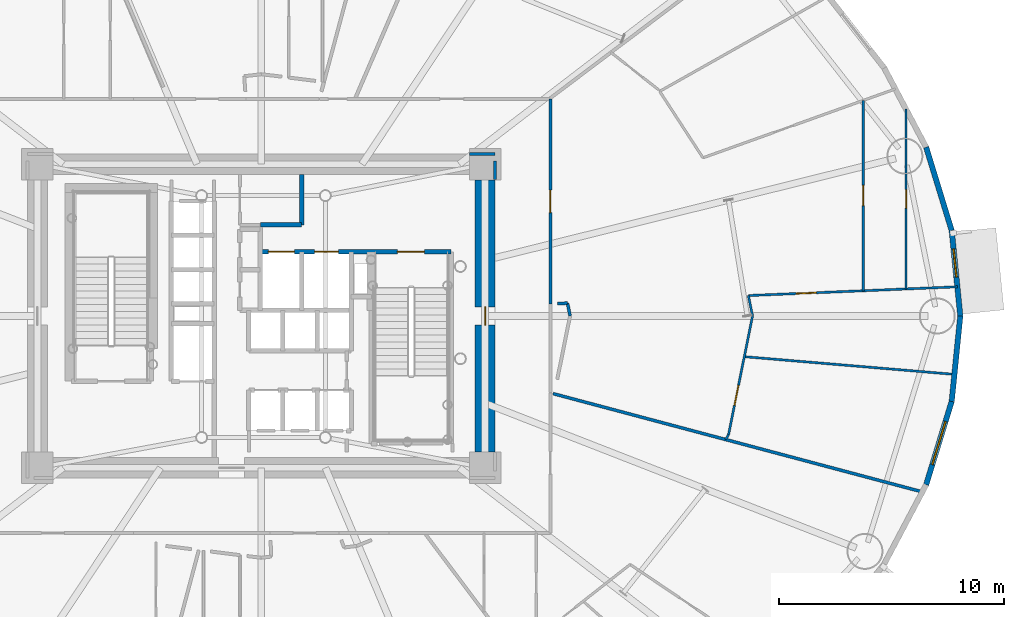
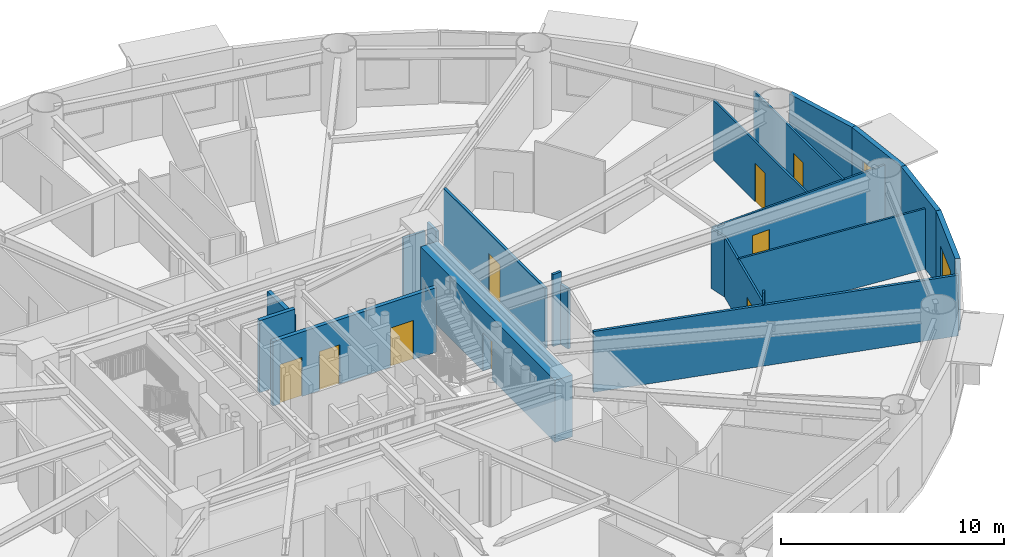
# One storey, part 14 of 24: 21 walls, 9 doors, 2 windows, 11 openings.
"""IFC4 building model written with IfcOpenShell, lengths in metres."""

from ifc_helpers import new_model, si_unit, direction, frame, frame_2d, origin, origin_2d, place, context, subcontext, project, spatial, rectangle, extrude, source, transform, mapped, material, layer, layer_set, type_object, element, fill, save


model = new_model("IFC4")

# Units and contexts
model_context = context("Model", 3, precision=1e-05, world=origin(), true_north=direction((0.0, 1.0)))
body_context = subcontext(model_context, "Body", "Model", "MODEL_VIEW")
ifc_project = project(units=[si_unit("LENGTHUNIT", "METRE"), si_unit("AREAUNIT", "SQUARE_METRE"), si_unit("VOLUMEUNIT", "CUBIC_METRE"), si_unit("PLANEANGLEUNIT", "RADIAN"), si_unit("MASSUNIT", "GRAM", prefix="KILO")], contexts=[model_context])

# Site, building, storey
site_placement = place(None, origin())
site = spatial("IfcSite", under=ifc_project, at=site_placement, CompositionType="ELEMENT")
building_placement = place(site_placement, origin())
building = spatial("IfcBuilding", under=site, at=building_placement, Name="Linh Dai School and Residence Tower", CompositionType="ELEMENT")
storey_placement = place(building_placement, frame((0.0, 0.0, 74.39990234375)))
storey = spatial("IfcBuildingStorey", under=building, at=storey_placement, Name="L17", CompositionType="ELEMENT", Elevation=74.39990234375)

# Wall, opening, window
ifc_material_1 = material(Name="Precast Concrete B45 (C35/45)", Category="concrete")
ifc_layer_1 = layer(ifc_material_1, 0.239990234375)
ifc_layer_set_1 = layer_set([ifc_layer_1], Name="Precast Concrete B45 (C35/45)")
wall_type_1 = type_object("IfcWallType", Name="EW-TC-240", PredefinedType="SOLIDWALL", material=ifc_layer_set_1)
wall_1_placement = place(storey_placement, frame((66.693359375, 30.796875, 0.0), z_axis=(0.0, 0.0, 1.0), x_axis=(0.099997795174, -0.994987658698, 0.0)))
wall_1 = element("IfcWall", 1, at=wall_1_placement, inside=storey, type_object=wall_type_1, Name="L17 Terracotta Exterior Wall 01", PredefinedType="SOLIDWALL", context=body_context, shape_type="SweptSolid", body=[
    extrude(rectangle(XDim=3.81591796875, YDim=0.239990234375, at=frame_2d((1.907958984375, 0.0))), origin(), (0.0, 0.0, 1.0), 3.9501953125),
])
opening_1_placement = place(wall_1_placement, frame((0.82421875, 0.0, 0.89990234375)))
opening_1 = element("IfcOpeningElement", 2, at=opening_1_placement, cuts=wall_1, Name="Opening W3", PredefinedType="OPENING", context=body_context, shape_type="SweptSolid", body=[
    extrude(rectangle(XDim=1.25, YDim=1.64990234375, at=origin_2d()), frame((0.625, 0.1298828125, 0.824951171875), z_axis=(0.0, -1.0, 0.0), x_axis=(1.0, 0.0, 0.0)), (0.0, 0.0, 1.0), 0.260009765625),
])
ifc_material_2 = material(Name="Double Low-E Insulated Glazing", Category="glass")
window_type_1 = type_object("IfcWindowType", Name="WN-RES-1250x1650", PartitioningType="SINGLE_PANEL", PredefinedType="WINDOW", material=ifc_material_2)
shared_shape_1 = source(origin(), body_context, "Body", "SweptSolid", [
    extrude(rectangle(XDim=1.25, YDim=1.64990234375, at=origin_2d()), frame((0.625, 0.030029296875, 0.824951171875), z_axis=(0.0, -1.0, 0.0), x_axis=(1.0, 0.0, 0.0)), (0.0, 0.0, 1.0), 0.06005859375),
])
window_1_placement = place(opening_1_placement, origin())
window_1 = element("IfcWindow", 3, at=window_1_placement, inside=storey, type_object=window_type_1, Name="L17 Exterior Window 01.1", OverallHeight=1.64990234375, OverallWidth=1.25, PartitioningType="SINGLE_PANEL", PredefinedType="WINDOW", context=body_context, shape_type="MappedRepresentation", body=[
    mapped(shared_shape_1, transform((0.0, 0.0, 0.0), x_axis=(1.0, 0.0, 0.0), y_axis=(0.0, 1.0, 0.0), z_axis=(0.0, 0.0, 1.0), scale=1.0)),
])
fill(opening_1, window_1)

# Wall
wall_2_placement = place(storey_placement, frame((65.5576171875, 34.50146484375, 0.0), z_axis=(0.0, 0.0, 1.0), x_axis=(0.293111631758, -0.956078224482, 0.0)))
element("IfcWall", 4, at=wall_2_placement, inside=storey, type_object=wall_type_1, Name="L17 Terracotta Exterior Wall 02", PredefinedType="SOLIDWALL", context=body_context, shape_type="SweptSolid", body=[
    extrude(rectangle(XDim=3.874755859375, YDim=0.239990234375, at=frame_2d((1.9375, 0.0))), origin(), (0.0, 0.0, 1.0), 3.9501953125),
])

# Wall, opening, window
wall_3_placement = place(storey_placement, frame((66.693359375, 23.203125, 0.0), z_axis=(0.0, 0.0, 1.0), x_axis=(-0.293111631758, -0.956078224482, 0.0)))
wall_3 = element("IfcWall", 5, at=wall_3_placement, inside=storey, type_object=wall_type_1, Name="L17 Terracotta Exterior Wall 39", PredefinedType="SOLIDWALL", context=body_context, shape_type="SweptSolid", body=[
    extrude(rectangle(XDim=3.874755859375, YDim=0.239990234375, at=frame_2d((1.9375, 0.0))), origin(), (0.0, 0.0, 1.0), 3.9501953125),
])
opening_2_placement = place(wall_3_placement, frame((0.9375, 0.0, 0.89990234375)))
opening_2 = element("IfcOpeningElement", 6, at=opening_2_placement, cuts=wall_3, Name="Opening W1", PredefinedType="OPENING", context=body_context, shape_type="SweptSolid", body=[
    extrude(rectangle(XDim=2.0, YDim=1.75, at=origin_2d()), frame((1.0, 0.1298828125, 0.875), z_axis=(0.0, -1.0, 0.0), x_axis=(1.0, 0.0, 0.0)), (0.0, 0.0, 1.0), 0.260009765625),
])
window_type_2 = type_object("IfcWindowType", Name="WN-RES-2000x1750", PartitioningType="DOUBLE_PANEL_VERTICAL", PredefinedType="WINDOW", material=ifc_material_2)
shared_shape_2 = source(origin(), body_context, "Body", "SweptSolid", [
    extrude(rectangle(XDim=2.0, YDim=1.75, at=origin_2d()), frame((1.0, 0.030029296875, 0.875), z_axis=(0.0, -1.0, 0.0), x_axis=(1.0, 0.0, 0.0)), (0.0, 0.0, 1.0), 0.06005859375),
])
window_2_placement = place(opening_2_placement, origin())
window_2 = element("IfcWindow", 7, at=window_2_placement, inside=storey, type_object=window_type_2, Name="L17 Exterior Window 39.1", OverallHeight=1.75, OverallWidth=2.0, PartitioningType="DOUBLE_PANEL_VERTICAL", PredefinedType="WINDOW", context=body_context, shape_type="MappedRepresentation", body=[
    mapped(shared_shape_2, transform((0.0, 0.0, 0.0), x_axis=(1.0, 0.0, 0.0), y_axis=(0.0, 1.0, 0.0), z_axis=(0.0, 0.0, 1.0), scale=1.0)),
])
fill(opening_2, window_2)

# Wall
wall_4_placement = place(storey_placement, frame((67.074951171875, 27.0, 0.0), z_axis=(0.0, 0.0, 1.0), x_axis=(-0.099997795174, -0.994987658698, 0.0)))
element("IfcWall", 8, at=wall_4_placement, inside=storey, type_object=wall_type_1, Name="L17 Terracotta Exterior Wall 40", PredefinedType="SOLIDWALL", context=body_context, shape_type="SweptSolid", body=[
    extrude(rectangle(XDim=3.81591796875, YDim=0.239990234375, at=frame_2d((1.907958984375, 0.0))), origin(), (0.0, 0.0, 1.0), 3.9501953125),
])

# Wall, opening, door
ifc_material_3 = material(Name="Autoclaved Aerated Concrete Blockwork", Category="masonry")
ifc_layer_2 = layer(ifc_material_3, 0.135009765625)
ifc_layer_set_2 = layer_set([ifc_layer_2], Name="Autoclaved Aerated Concrete Blockwork")
wall_type_2 = type_object("IfcWallType", Name="IW-CORR-135-EI90", PredefinedType="PARTITIONING", material=ifc_layer_set_2)
wall_5_placement = place(storey_placement, frame((48.85009765625, 27.538330078125, 0.0), z_axis=(0.0, 0.0, 1.0), x_axis=(0.0, 1.0, 0.0)))
wall_5 = element("IfcWall", 9, at=wall_5_placement, inside=storey, type_object=wall_type_2, Name="L17 Interior Partition Wall 095", PredefinedType="PARTITIONING", context=body_context, shape_type="SweptSolid", body=[
    extrude(rectangle(XDim=9.111572265625, YDim=0.135009765625, at=frame_2d((4.5556640625, 0.0))), origin(), (0.0, 0.0, 1.0), 3.28515625),
])
opening_3_placement = place(wall_5_placement, frame((4.055908203125, 0.0, 0.0)))
opening_3 = element("IfcOpeningElement", 10, at=opening_3_placement, cuts=wall_5, Name="Opening D03", PredefinedType="OPENING", context=body_context, shape_type="SweptSolid", body=[
    extrude(rectangle(XDim=1.0, YDim=2.14990234375, at=origin_2d()), frame((0.5, 0.07763671875, 1.074951171875), z_axis=(0.0, -1.0, 0.0), x_axis=(1.0, 0.0, 0.0)), (0.0, 0.0, 1.0), 0.155029296875),
])
ifc_material_4 = material(Name="Fire-Rated Solid Timber Entrance Door", Category="wood")
door_type_1 = type_object("IfcDoorType", Name="DR-FLAT-1000x2150-FD60S", OperationType="NOTDEFINED", PredefinedType="DOOR", material=ifc_material_4)
shared_shape_3 = source(origin(), body_context, "Body", "SweptSolid", [
    extrude(rectangle(XDim=1.0, YDim=2.14990234375, at=origin_2d()), frame((0.5, 0.02490234375, 1.074951171875), z_axis=(0.0, -1.0, 0.0), x_axis=(1.0, 0.0, 0.0)), (0.0, 0.0, 1.0), 0.050048828125),
])
door_1_placement = place(opening_3_placement, origin())
door_1 = element("IfcDoor", 11, at=door_1_placement, inside=storey, type_object=door_type_1, Name="L17 U1707 Apartment Entrance Door", OperationType="SINGLE_SWING_RIGHT", OverallHeight=2.14990234375, OverallWidth=1.0, PredefinedType="DOOR", context=body_context, shape_type="MappedRepresentation", body=[
    mapped(shared_shape_3, transform((0.0, 0.0, 0.0), x_axis=(1.0, 0.0, 0.0), y_axis=(0.0, 1.0, 0.0), z_axis=(0.0, 0.0, 1.0), scale=1.0)),
])
fill(opening_3, door_1)

# Walls
wall_6_placement = place(storey_placement, frame((48.971435546875, 23.54833984375, 0.0), z_axis=(0.0, 0.0, 1.0), x_axis=(0.966368341592, -0.257161871917, 0.0)))
element("IfcWall", 12, at=wall_6_placement, inside=storey, type_object=wall_type_2, Name="L17 Interior Partition Wall 097", PredefinedType="PARTITIONING", context=body_context, shape_type="SweptSolid", body=[
    extrude(rectangle(XDim=16.99365234375, YDim=0.135009765625, at=frame_2d((8.496826171875, 0.0))), origin(), (0.0, 0.0, 1.0), 3.335205078125),
])
wall_7_placement = place(storey_placement, frame((46.39990234375, 34.199951171875, 0.0), z_axis=(0.0, 0.0, 1.0), x_axis=(-1.0, 0.0, 0.0)))
element("IfcWall", 13, at=wall_7_placement, inside=storey, type_object=wall_type_2, Name="L17 Interior Partition Wall 127", PredefinedType="PARTITIONING", context=body_context, shape_type="SweptSolid", body=[
    extrude(rectangle(XDim=1.139892578125, YDim=0.135009765625, at=frame_2d((0.56982421875, 0.0))), origin(), (0.0, 0.0, 1.0), 3.28515625),
])
wall_8_placement = place(storey_placement, frame((46.39990234375, 33.06005859375, 0.0), z_axis=(0.0, 0.0, 1.0), x_axis=(0.0, 1.0, 0.0)))
element("IfcWall", 14, at=wall_8_placement, inside=storey, type_object=wall_type_2, Name="L17 Interior Partition Wall 134", PredefinedType="PARTITIONING", context=body_context, shape_type="SweptSolid", body=[
    extrude(rectangle(XDim=0.83251953125, YDim=0.135009765625, at=frame_2d((0.416259765625, 0.0))), origin(), (0.0, 0.0, 1.0), 3.9501953125),
])
wall_9_placement = place(storey_placement, frame((49.72802734375, 27.0, 0.0), z_axis=(0.0, 0.0, 1.0), x_axis=(-0.198455472993, 0.980109904674, 0.0)))
element("IfcWall", 15, at=wall_9_placement, inside=storey, type_object=wall_type_2, Name="L17 Interior Partition Wall 153", PredefinedType="PARTITIONING", context=body_context, shape_type="SweptSolid", body=[
    extrude(rectangle(XDim=0.581787109375, YDim=0.135009765625, at=frame_2d((0.291015625, 0.0))), origin(), (0.0, 0.0, 1.0), 3.28515625),
])
wall_10_placement = place(storey_placement, frame((49.612548828125, 27.5703125, 0.0), z_axis=(0.0, 0.0, 1.0), x_axis=(-0.999115494312, -0.042050315417, 0.0)))
element("IfcWall", 16, at=wall_10_placement, inside=storey, type_object=wall_type_2, Name="L17 Interior Partition Wall 154", PredefinedType="PARTITIONING", context=body_context, shape_type="SweptSolid", body=[
    extrude(rectangle(XDim=0.435546875, YDim=0.135009765625, at=frame_2d((0.2177734375, 0.0))), origin(), (0.0, 0.0, 1.0), 3.9501953125),
])

# Wall, openings, doors
ifc_material_5 = material(Name="Concrete B45 (C35/45)", Category="concrete")
ifc_layer_3 = layer(ifc_material_5, 0.199951171875)
ifc_layer_set_3 = layer_set([ifc_layer_3], Name="Concrete B45 (C35/45)")
wall_type_3 = type_object("IfcWallType", Name="IW-SHAFT-200-EI120", PredefinedType="PARTITIONING", material=ifc_layer_set_3)
wall_11_placement = place(storey_placement, frame((35.949951171875, 29.85009765625, 0.0), z_axis=(0.0, 0.0, 1.0), x_axis=(1.0, 0.0, 0.0)))
wall_11 = element("IfcWall", 17, at=wall_11_placement, inside=storey, type_object=wall_type_3, Name="L17 Interior Partition Wall 059", PredefinedType="PARTITIONING", context=body_context, shape_type="SweptSolid", body=[
    extrude(rectangle(XDim=8.489990234375, YDim=0.199951171875, at=frame_2d((4.2451171875, 0.0))), origin(), (0.0, 0.0, 1.0), 3.53515625),
])
opening_4_placement = place(wall_11_placement, frame((6.10009765625, 0.0, 0.0)))
opening_4 = element("IfcOpeningElement", 18, at=opening_4_placement, cuts=wall_11, Name="Opening D01", PredefinedType="OPENING", context=body_context, shape_type="SweptSolid", body=[
    extrude(rectangle(XDim=1.199951171875, YDim=2.14990234375, at=origin_2d()), frame((0.60009765625, 0.10986328125, 1.074951171875), z_axis=(0.0, -1.0, 0.0), x_axis=(1.0, 0.0, 0.0)), (0.0, 0.0, 1.0), 0.219970703125),
])
opening_5_placement = place(wall_11_placement, frame((0.3701171875, 0.0, 0.0)))
opening_5 = element("IfcOpeningElement", 19, at=opening_5_placement, cuts=wall_11, Name="Opening LD-FF1", PredefinedType="OPENING", context=body_context, shape_type="SweptSolid", body=[
    extrude(rectangle(XDim=1.14990234375, YDim=2.14990234375, at=origin_2d()), frame((0.574951171875, 0.10986328125, 1.074951171875), z_axis=(0.0, -1.0, 0.0), x_axis=(1.0, 0.0, 0.0)), (0.0, 0.0, 1.0), 0.219970703125),
])
opening_6_placement = place(wall_11_placement, frame((2.425048828125, 0.0, 0.0)))
opening_6 = element("IfcOpeningElement", 20, at=opening_6_placement, cuts=wall_11, Name="Opening LD-SV1", PredefinedType="OPENING", context=body_context, shape_type="SweptSolid", body=[
    extrude(rectangle(XDim=1.050048828125, YDim=2.14990234375, at=origin_2d()), frame((0.52490234375, 0.10986328125, 1.074951171875), z_axis=(0.0, -1.0, 0.0), x_axis=(1.0, 0.0, 0.0)), (0.0, 0.0, 1.0), 0.219970703125),
])
ifc_material_6 = material(Name="Fire-Rated Steel Door Leaf", Category="steel")
door_type_2 = type_object("IfcDoorType", Name="DR-STAIR-1200x2150-FD90S", OperationType="NOTDEFINED", PredefinedType="DOOR", material=ifc_material_6)
shared_shape_4 = source(origin(), body_context, "Body", "SweptSolid", [
    extrude(rectangle(XDim=1.199951171875, YDim=2.14990234375, at=origin_2d()), frame((0.60009765625, 0.02490234375, 1.074951171875), z_axis=(0.0, -1.0, 0.0), x_axis=(1.0, 0.0, 0.0)), (0.0, 0.0, 1.0), 0.050048828125),
])
door_2_placement = place(opening_4_placement, origin())
door_2 = element("IfcDoor", 21, at=door_2_placement, inside=storey, type_object=door_type_2, Name="L17 Core Smokeproof Exit Stair ST2 Door", OperationType="SINGLE_SWING_RIGHT", OverallHeight=2.14990234375, OverallWidth=1.199951171875, PredefinedType="DOOR", context=body_context, shape_type="MappedRepresentation", body=[
    mapped(shared_shape_4, transform((0.0, 0.0, 0.0), x_axis=(1.0, 0.0, 0.0), y_axis=(0.0, 1.0, 0.0), z_axis=(0.0, 0.0, 1.0), scale=1.0)),
])
fill(opening_4, door_2)
ifc_material_7 = material(Name="Fire-Rated Stainless Steel Firefighting Lift Door", Category="steel")
door_type_3 = type_object("IfcDoorType", Name="DR-LD-FF-1150x2150-FD120", OperationType="DOUBLE_DOOR_SLIDING", PredefinedType="USERDEFINED", material=ifc_material_7)
shared_shape_5 = source(origin(), body_context, "Body", "SweptSolid", [
    extrude(rectangle(XDim=1.14990234375, YDim=2.14990234375, at=origin_2d()), frame((0.574951171875, 0.02490234375, 1.074951171875), z_axis=(0.0, -1.0, 0.0), x_axis=(1.0, 0.0, 0.0)), (0.0, 0.0, 1.0), 0.050048828125),
])
door_3_placement = place(opening_5_placement, origin())
door_3 = element("IfcDoor", 22, at=door_3_placement, inside=storey, type_object=door_type_3, Name="L17 Lift FF1 Sliding Landing Door", ObjectType="LANDING DOOR", OperationType="DOUBLE_DOOR_SLIDING", OverallHeight=2.14990234375, OverallWidth=1.14990234375, PredefinedType="USERDEFINED", context=body_context, shape_type="MappedRepresentation", body=[
    mapped(shared_shape_5, transform((0.0, 0.0, 0.0), x_axis=(1.0, 0.0, 0.0), y_axis=(0.0, 1.0, 0.0), z_axis=(0.0, 0.0, 1.0), scale=1.0)),
])
fill(opening_5, door_3)
ifc_material_8 = material(Name="Brushed Stainless Steel Lift Landing Door", Category="steel")
door_type_4 = type_object("IfcDoorType", Name="DR-LD-PASS-1050x2150", OperationType="DOUBLE_DOOR_SLIDING", PredefinedType="USERDEFINED", material=ifc_material_8)
shared_shape_6 = source(origin(), body_context, "Body", "SweptSolid", [
    extrude(rectangle(XDim=1.050048828125, YDim=2.14990234375, at=origin_2d()), frame((0.52490234375, 0.02490234375, 1.074951171875), z_axis=(0.0, -1.0, 0.0), x_axis=(1.0, 0.0, 0.0)), (0.0, 0.0, 1.0), 0.050048828125),
])
door_4_placement = place(opening_6_placement, origin())
door_4 = element("IfcDoor", 23, at=door_4_placement, inside=storey, type_object=door_type_4, Name="L17 Lift SV1 Sliding Landing Door", ObjectType="LANDING DOOR", OperationType="DOUBLE_DOOR_SLIDING", OverallHeight=2.14990234375, OverallWidth=1.050048828125, PredefinedType="USERDEFINED", context=body_context, shape_type="MappedRepresentation", body=[
    mapped(shared_shape_6, transform((0.0, 0.0, 0.0), x_axis=(1.0, 0.0, 0.0), y_axis=(0.0, 1.0, 0.0), z_axis=(0.0, 0.0, 1.0), scale=1.0)),
])
fill(opening_6, door_4)

# Walls
wall_12_placement = place(storey_placement, frame((35.9599609375, 31.050048828125, 0.0), z_axis=(0.0, 0.0, 1.0), x_axis=(1.0, 0.0, 0.0)))
element("IfcWall", 24, at=wall_12_placement, inside=storey, type_object=wall_type_3, Name="L17 Interior Partition Wall 060", PredefinedType="PARTITIONING", context=body_context, shape_type="SweptSolid", body=[
    extrude(rectangle(XDim=1.840087890625, YDim=0.199951171875, at=frame_2d((0.919921875, 0.0))), origin(), (0.0, 0.0, 1.0), 3.9501953125),
])
wall_13_placement = place(storey_placement, frame((37.800048828125, 31.050048828125, 0.0), z_axis=(0.0, 0.0, 1.0), x_axis=(0.0, 1.0, 0.0)))
element("IfcWall", 25, at=wall_13_placement, inside=storey, type_object=wall_type_3, Name="L17 Interior Partition Wall 069", PredefinedType="PARTITIONING", context=body_context, shape_type="SweptSolid", body=[
    extrude(rectangle(XDim=2.25, YDim=0.199951171875, at=frame_2d((1.125, 0.0))), origin(), (0.0, 0.0, 1.0), 3.53515625),
])
ifc_material_9 = material(Name="Gypsum Plasterboard Acoustic Stud Partition", Category="masonry")
ifc_layer_4 = layer(ifc_material_9, 0.10009765625)
ifc_layer_set_4 = layer_set([ifc_layer_4], Name="Gypsum Plasterboard Acoustic Stud Partition")
wall_type_4 = type_object("IfcWallType", Name="IW-UNIT-100", PredefinedType="PARTITIONING", material=ifc_layer_set_4)
wall_14_placement = place(storey_placement, frame((56.636474609375, 21.508544921875, 0.0), z_axis=(0.0, 0.0, 1.0), x_axis=(0.544849315021, 0.838533973027, 0.0)))
element("IfcWall", 26, at=wall_14_placement, inside=storey, type_object=wall_type_4, Name="L17 Interior Partition Wall 104", PredefinedType="PARTITIONING", context=body_context, shape_type="SweptSolid", body=[
    extrude(rectangle(XDim=0.246826171875, YDim=0.10009765625, at=frame_2d((0.12353515625, 0.0))), origin(), (0.0, 0.0, 1.0), 3.9501953125),
])

# Wall, opening, door
wall_15_placement = place(storey_placement, frame((56.77099609375, 21.715576171875, 0.0), z_axis=(0.0, 0.0, 1.0), x_axis=(0.198292702032, 0.980142848936, 0.0)))
wall_15 = element("IfcWall", 27, at=wall_15_placement, inside=storey, type_object=wall_type_4, Name="L17 Interior Partition Wall 105", PredefinedType="PARTITIONING", context=body_context, shape_type="SweptSolid", body=[
    extrude(rectangle(XDim=5.3916015625, YDim=0.10009765625, at=frame_2d((2.69580078125, 0.0))), origin(), (0.0, 0.0, 1.0), 3.28515625),
])
opening_7_placement = place(wall_15_placement, frame((1.3427734375, 0.0, 0.0)))
opening_7 = element("IfcOpeningElement", 28, at=opening_7_placement, cuts=wall_15, Name="Opening D05", PredefinedType="OPENING", context=body_context, shape_type="SweptSolid", body=[
    extrude(rectangle(XDim=0.89990234375, YDim=2.10009765625, at=origin_2d()), frame((0.449951171875, 0.06005859375, 1.050048828125), z_axis=(0.0, -1.0, 0.0), x_axis=(1.0, 0.0, 0.0)), (0.0, 0.0, 1.0), 0.1201171875),
])
ifc_material_10 = material(Name="Engineered Timber Internal Door", Category="wood")
door_type_5 = type_object("IfcDoorType", Name="DR-INT-900x2100", OperationType="NOTDEFINED", PredefinedType="DOOR", material=ifc_material_10)
shared_shape_7 = source(origin(), body_context, "Body", "SweptSolid", [
    extrude(rectangle(XDim=0.89990234375, YDim=2.10009765625, at=origin_2d()), frame((0.449951171875, 0.02490234375, 1.050048828125), z_axis=(0.0, -1.0, 0.0), x_axis=(1.0, 0.0, 0.0)), (0.0, 0.0, 1.0), 0.050048828125),
])
door_5_placement = place(opening_7_placement, origin())
door_5 = element("IfcDoor", 29, at=door_5_placement, inside=storey, type_object=door_type_5, Name="L17 Apartment U1707 Principal Bedroom 1 Door", OperationType="SINGLE_SWING_LEFT", OverallHeight=2.10009765625, OverallWidth=0.89990234375, PredefinedType="DOOR", context=body_context, shape_type="MappedRepresentation", body=[
    mapped(shared_shape_7, transform((0.0, 0.0, 0.0), x_axis=(1.0, 0.0, 0.0), y_axis=(0.0, 1.0, 0.0), z_axis=(0.0, 0.0, 1.0), scale=1.0)),
])
fill(opening_7, door_5)

# Walls
wall_16_placement = place(storey_placement, frame((57.47412109375, 25.190673828125, 0.0), z_axis=(0.0, 0.0, 1.0), x_axis=(0.996471574276, -0.083930933863, 0.0)))
element("IfcWall", 30, at=wall_16_placement, inside=storey, type_object=wall_type_4, Name="L17 Interior Partition Wall 106", PredefinedType="PARTITIONING", context=body_context, shape_type="SweptSolid", body=[
    extrude(rectangle(XDim=9.378173828125, YDim=0.10009765625, at=frame_2d((4.68896484375, 0.0))), origin(), (0.0, 0.0, 1.0), 3.335205078125),
])
wall_17_placement = place(storey_placement, frame((57.656494140625, 27.9072265625, 0.0), z_axis=(0.0, 0.0, 1.0), x_axis=(0.198347441677, -0.980131772967, 0.0)))
element("IfcWall", 31, at=wall_17_placement, inside=storey, type_object=wall_type_4, Name="L17 Interior Partition Wall 107", PredefinedType="PARTITIONING", context=body_context, shape_type="SweptSolid", body=[
    extrude(rectangle(XDim=0.925537109375, YDim=0.10009765625, at=frame_2d((0.462890625, 0.0))), origin(), (0.0, 0.0, 1.0), 3.28515625),
])

# Wall, opening, door
wall_18_placement = place(storey_placement, frame((57.656494140625, 27.9072265625, 0.0), z_axis=(0.0, 0.0, 1.0), x_axis=(0.999123265136, 0.041865272767, 0.0)))
wall_18 = element("IfcWall", 32, at=wall_18_placement, inside=storey, type_object=wall_type_4, Name="L17 Interior Partition Wall 108", PredefinedType="PARTITIONING", context=body_context, shape_type="SweptSolid", body=[
    extrude(rectangle(XDim=9.30126953125, YDim=0.10009765625, at=frame_2d((4.650634765625, 0.0))), origin(), (0.0, 0.0, 1.0), 3.335205078125),
])
opening_8_placement = place(wall_18_placement, frame((2.127197265625, 0.0, 0.0)))
opening_8 = element("IfcOpeningElement", 33, at=opening_8_placement, cuts=wall_18, Name="Opening D05", PredefinedType="OPENING", context=body_context, shape_type="SweptSolid", body=[
    extrude(rectangle(XDim=0.89990234375, YDim=2.10009765625, at=origin_2d()), frame((0.449951171875, 0.06005859375, 1.050048828125), z_axis=(0.0, -1.0, 0.0), x_axis=(1.0, 0.0, 0.0)), (0.0, 0.0, 1.0), 0.1201171875),
])
door_6_placement = place(opening_8_placement, origin())
door_6 = element("IfcDoor", 34, at=door_6_placement, inside=storey, type_object=door_type_5, Name="L17 Apartment U1707 Study Door", OperationType="SINGLE_SWING_RIGHT", OverallHeight=2.10009765625, OverallWidth=0.89990234375, PredefinedType="DOOR", context=body_context, shape_type="MappedRepresentation", body=[
    mapped(shared_shape_7, transform((0.0, 0.0, 0.0), x_axis=(1.0, 0.0, 0.0), y_axis=(0.0, 1.0, 0.0), z_axis=(0.0, 0.0, 1.0), scale=1.0)),
])
fill(opening_8, door_6)

wall_19_placement = place(storey_placement, frame((62.76611328125, 28.121337890625, 0.0), z_axis=(0.0, 0.0, 1.0), x_axis=(0.0, 1.0, 0.0)))
wall_19 = element("IfcWall", 35, at=wall_19_placement, inside=storey, type_object=wall_type_4, Name="L17 Interior Partition Wall 109", PredefinedType="PARTITIONING", context=body_context, shape_type="SweptSolid", body=[
    extrude(rectangle(XDim=8.462158203125, YDim=0.10009765625, at=frame_2d((4.23095703125, 0.0))), origin(), (0.0, 0.0, 1.0), 3.28515625),
])
opening_9_placement = place(wall_19_placement, frame((3.781005859375, 0.0, 0.0)))
opening_9 = element("IfcOpeningElement", 36, at=opening_9_placement, cuts=wall_19, Name="Opening D05", PredefinedType="OPENING", context=body_context, shape_type="SweptSolid", body=[
    extrude(rectangle(XDim=0.89990234375, YDim=2.10009765625, at=origin_2d()), frame((0.449951171875, 0.06005859375, 1.050048828125), z_axis=(0.0, -1.0, 0.0), x_axis=(1.0, 0.0, 0.0)), (0.0, 0.0, 1.0), 0.1201171875),
])
door_7_placement = place(opening_9_placement, origin())
door_7 = element("IfcDoor", 37, at=door_7_placement, inside=storey, type_object=door_type_5, Name="L17 Apartment U1707 Kitchen Door", OperationType="SINGLE_SWING_LEFT", OverallHeight=2.10009765625, OverallWidth=0.89990234375, PredefinedType="DOOR", context=body_context, shape_type="MappedRepresentation", body=[
    mapped(shared_shape_7, transform((0.0, 0.0, 0.0), x_axis=(1.0, 0.0, 0.0), y_axis=(0.0, 1.0, 0.0), z_axis=(0.0, 0.0, 1.0), scale=1.0)),
])
fill(opening_9, door_7)

wall_20_placement = place(storey_placement, frame((64.663818359375, 28.200927734375, 0.0), z_axis=(0.0, 0.0, 1.0), x_axis=(0.0, 1.0, 0.0)))
wall_20 = element("IfcWall", 38, at=wall_20_placement, inside=storey, type_object=wall_type_4, Name="L17 Interior Partition Wall 110", PredefinedType="PARTITIONING", context=body_context, shape_type="SweptSolid", body=[
    extrude(rectangle(XDim=8.00048828125, YDim=0.10009765625, at=frame_2d((4.000244140625, 0.0))), origin(), (0.0, 0.0, 1.0), 3.335205078125),
])
opening_10_placement = place(wall_20_placement, frame((3.59033203125, 0.0, 0.0)))
opening_10 = element("IfcOpeningElement", 39, at=opening_10_placement, cuts=wall_20, Name="Opening D06", PredefinedType="OPENING", context=body_context, shape_type="SweptSolid", body=[
    extrude(rectangle(XDim=0.820068359375, YDim=2.10009765625, at=origin_2d()), frame((0.41015625, 0.06005859375, 1.050048828125), z_axis=(0.0, -1.0, 0.0), x_axis=(1.0, 0.0, 0.0)), (0.0, 0.0, 1.0), 0.1201171875),
])
ifc_material_11 = material(Name="Moisture-Resistant Timber Bathroom Door", Category="wood")
door_type_6 = type_object("IfcDoorType", Name="DR-WET-820x2100", OperationType="NOTDEFINED", PredefinedType="DOOR", material=ifc_material_11)
shared_shape_8 = source(origin(), body_context, "Body", "SweptSolid", [
    extrude(rectangle(XDim=0.820068359375, YDim=2.10009765625, at=origin_2d()), frame((0.41015625, 0.02490234375, 1.050048828125), z_axis=(0.0, -1.0, 0.0), x_axis=(1.0, 0.0, 0.0)), (0.0, 0.0, 1.0), 0.050048828125),
])
door_8_placement = place(opening_10_placement, origin())
door_8 = element("IfcDoor", 40, at=door_8_placement, inside=storey, type_object=door_type_6, Name="L17 Apartment U1707 Bathroom 1 Door", OperationType="SINGLE_SWING_RIGHT", OverallHeight=2.10009765625, OverallWidth=0.820068359375, PredefinedType="DOOR", context=body_context, shape_type="MappedRepresentation", body=[
    mapped(shared_shape_8, transform((0.0, 0.0, 0.0), x_axis=(1.0, 0.0, 0.0), y_axis=(0.0, 1.0, 0.0), z_axis=(0.0, 0.0, 1.0), scale=1.0)),
])
fill(opening_10, door_8)

ifc_material_12 = material(Name="Concrete B60 (C50/60)", Category="concrete")
ifc_layer_5 = layer(ifc_material_12, 0.89990234375)
ifc_layer_set_5 = layer_set([ifc_layer_5], Name="Concrete B60 (C50/60)")
wall_type_5 = type_object("IfcWallType", Name="WL-CORE900", PredefinedType="SHEAR", material=ifc_layer_set_5)
wall_21_placement = place(storey_placement, frame((45.949951171875, 33.050048828125, 0.0), z_axis=(0.0, 0.0, 1.0), x_axis=(0.0, -1.0, 0.0)))
wall_21 = element("IfcWall", 41, at=wall_21_placement, inside=storey, type_object=wall_type_5, Name="L17 Central Core Shear Wall E", PredefinedType="SHEAR", context=body_context, shape_type="SweptSolid", body=[
    extrude(rectangle(XDim=12.10009765625, YDim=0.89990234375, at=frame_2d((6.050048828125, 0.0))), origin(), (0.0, 0.0, 1.0), 3.400146484375),
])
opening_11_placement = place(wall_21_placement, frame((5.639892578125, 0.0, 0.0)))
opening_11 = element("IfcOpeningElement", 42, at=opening_11_placement, cuts=wall_21, Name="Opening D06", PredefinedType="OPENING", context=body_context, shape_type="SweptSolid", body=[
    extrude(rectangle(XDim=0.820068359375, YDim=2.10009765625, at=origin_2d()), frame((0.41015625, 0.4599609375, 1.050048828125), z_axis=(0.0, -1.0, 0.0), x_axis=(1.0, 0.0, 0.0)), (0.0, 0.0, 1.0), 0.919921875),
])
door_9_placement = place(opening_11_placement, origin())
door_9 = element("IfcDoor", 43, at=door_9_placement, inside=storey, type_object=door_type_6, Name="L17 Firefighting Lobby Door", OperationType="SINGLE_SWING_LEFT", OverallHeight=2.10009765625, OverallWidth=0.820068359375, PredefinedType="DOOR", context=body_context, shape_type="MappedRepresentation", body=[
    mapped(shared_shape_8, transform((0.0, 0.0, 0.0), x_axis=(1.0, 0.0, 0.0), y_axis=(0.0, 1.0, 0.0), z_axis=(0.0, 0.0, 1.0), scale=1.0)),
])
fill(opening_11, door_9)

save(model, "model.ifc")
